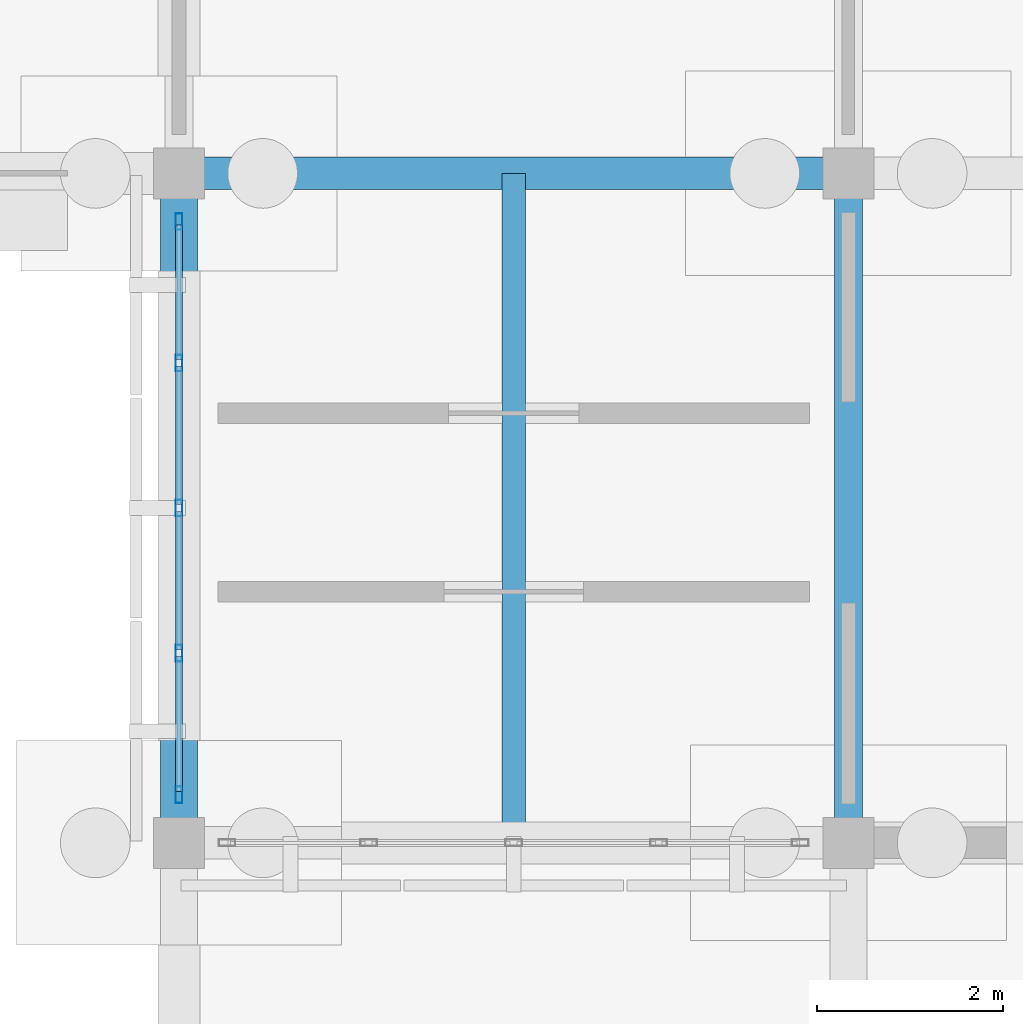
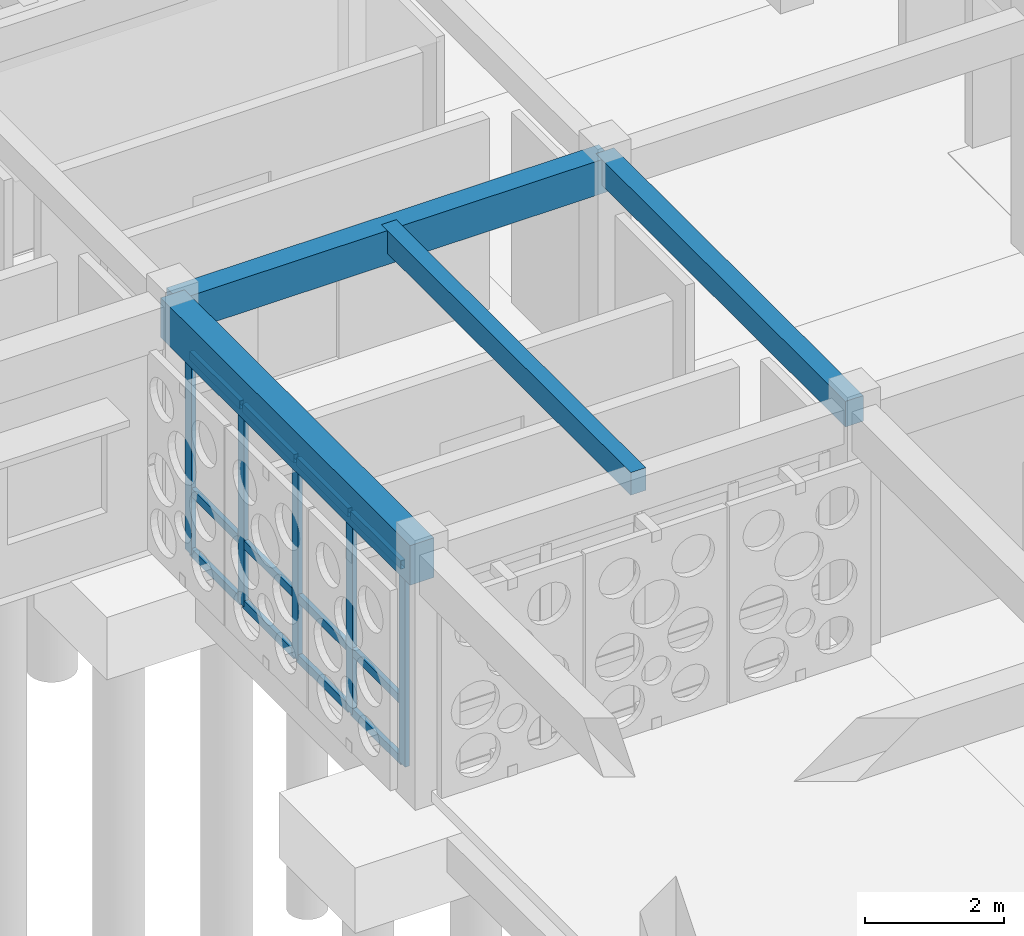
# One storey, part 20 of 111: 17 members, 4 beams, 1 element without a shape of its own.
"""IFC4 building model written with IfcOpenShell, lengths in metres."""

from ifc_helpers import new_model, si_unit, direction, frame, origin, origin_2d, place, context, subcontext, project, spatial, rectangle, hollow_rectangle, extrude, material, material_profile, profile_set, type_object, element, aggregate, save


model = new_model("IFC4")

# Units and contexts
model_context = context("Model", 3, precision=1e-05, world=origin(), true_north=direction((0.0, 1.0)))
body_context = subcontext(model_context, "Body", "Model", "MODEL_VIEW")
ifc_project = project(units=[si_unit("LENGTHUNIT", "METRE"), si_unit("AREAUNIT", "SQUARE_METRE"), si_unit("VOLUMEUNIT", "CUBIC_METRE"), si_unit("PLANEANGLEUNIT", "RADIAN"), si_unit("MASSUNIT", "GRAM", prefix="KILO")], contexts=[model_context])

# Site, building, storey
site_placement = place(None, origin())
site = spatial("IfcSite", under=ifc_project, at=site_placement, CompositionType="ELEMENT")
building_placement = place(site_placement, origin())
building = spatial("IfcBuilding", under=site, at=building_placement, Name="Aldebral Square Health Centre", CompositionType="ELEMENT")
storey_placement = place(building_placement, origin())
storey = spatial("IfcBuildingStorey", under=building, at=storey_placement, Name="L00", CompositionType="ELEMENT", Elevation=0.0)

# Beams
ifc_material_1 = material(Name="Concrete C40/50", Category="concrete")
ifc_material_profile_1 = material_profile(ifc_material_1, rectangle(XDim=0.35009765625, YDim=0.60009765625, at=origin_2d()), Name="RC 350x600")
ifc_profile_set_1 = profile_set([ifc_material_profile_1], Name="Concrete C40/50")
beam_type_1 = type_object("IfcBeamType", Name="BM-B2", PredefinedType="BEAM", material=ifc_profile_set_1)
beam_1_placement = place(storey_placement, frame((64.800048828125, 86.39990234375, 3.919921875), z_axis=(1.0, 0.0, 0.0), x_axis=(0.0, 1.0, 0.0)))
element("IfcBeam", 1, at=beam_1_placement, inside=storey, type_object=beam_type_1, Name="L00 X-beam 10-11/G13", PredefinedType="BEAM", context=body_context, shape_type="SweptSolid", body=[
    extrude(rectangle(XDim=0.35009765625, YDim=0.60009765625, at=origin_2d()), origin(), (0.0, 0.0, 1.0), 7.199951171875),
])
ifc_material_profile_2 = material_profile(ifc_material_1, rectangle(XDim=0.300048828125, YDim=0.449951171875, at=origin_2d()), Name="RC 300x450")
ifc_profile_set_2 = profile_set([ifc_material_profile_2], Name="Concrete C40/50")
beam_type_2 = type_object("IfcBeamType", Name="BM-B5", PredefinedType="BEAM", material=ifc_profile_set_2)
beam_2_placement = place(storey_placement, frame((72.0, 79.199951171875, 3.9951171875), z_axis=(0.0, 1.0, 0.0), x_axis=(-1.0, 0.0, 0.0)))
element("IfcBeam", 2, at=beam_2_placement, inside=storey, type_object=beam_type_2, Name="L00 Y-beam G11/12-13", PredefinedType="BEAM", context=body_context, shape_type="SweptSolid", body=[
    extrude(rectangle(XDim=0.300048828125, YDim=0.449951171875, at=origin_2d()), origin(), (0.0, 0.0, 1.0), 7.199951171875),
])
ifc_material_profile_3 = material_profile(ifc_material_1, rectangle(XDim=0.25, YDim=0.39990234375, at=origin_2d()), Name="RC 250x400")
ifc_profile_set_3 = profile_set([ifc_material_profile_3], Name="Concrete C40/50")
beam_type_3 = type_object("IfcBeamType", Name="BM-B6", PredefinedType="JOIST", material=ifc_profile_set_3)
beam_3_placement = place(storey_placement, frame((68.39990234375, 79.199951171875, 4.02001953125), z_axis=(0.0, 1.0, 0.0), x_axis=(-1.0, 0.0, 0.0)))
element("IfcBeam", 3, at=beam_3_placement, inside=storey, type_object=beam_type_3, Name="L00 secondary rib 10.12", PredefinedType="JOIST", context=body_context, shape_type="SweptSolid", body=[
    extrude(rectangle(XDim=0.25, YDim=0.39990234375, at=origin_2d()), origin(), (0.0, 0.0, 1.0), 7.199951171875),
])
ifc_material_profile_4 = material_profile(ifc_material_1, rectangle(XDim=0.39990234375, YDim=0.699951171875, at=origin_2d()), Name="RC 400x700")
ifc_profile_set_4 = profile_set([ifc_material_profile_4], Name="Concrete C40/50")
beam_type_4 = type_object("IfcBeamType", Name="BM-G3", PredefinedType="T_BEAM", material=ifc_profile_set_4)
beam_4_placement = place(storey_placement, frame((64.800048828125, 79.199951171875, 3.8701171875), z_axis=(0.0, 1.0, 0.0), x_axis=(-1.0, 0.0, 0.0)))
element("IfcBeam", 4, at=beam_4_placement, inside=storey, type_object=beam_type_4, Name="L00 Y-beam G10/12-13", PredefinedType="T_BEAM", context=body_context, shape_type="SweptSolid", body=[
    extrude(rectangle(XDim=0.39990234375, YDim=0.699951171875, at=origin_2d()), origin(), (0.0, 0.0, 1.0), 7.199951171875),
])

# Curtain wall, members
ifc_material_2 = material(Name="Aluminium and low-E solar glass", Category="aluminium")
curtain_wall_type = type_object("IfcCurtainWallType", Name="CW-HALL-SYS", PredefinedType="USERDEFINED", material=ifc_material_2)
curtain_wall_placement = place(storey_placement, origin())
curtain_wall = element("IfcCurtainWall", 5, at=curtain_wall_placement, inside=storey, type_object=curtain_wall_type, Name="L00 V1 hall curtain wall L00-V1-09-11-W", ObjectType="HALL_CURTAIN_WALL", PredefinedType="USERDEFINED")
ifc_material_3 = material(Name="Anodised aluminium mullion", Category="aluminium")
ifc_material_profile_5 = material_profile(ifc_material_3, hollow_rectangle(XDim=0.074951171875, YDim=0.179931640625, WallThickness=0.00390625, at=origin_2d()), Name="CWM 75x180x4")
ifc_profile_set_5 = profile_set([ifc_material_profile_5], Name="Anodised aluminium mullion")
member_type_1 = type_object("IfcMemberType", Name="CWM-STD", PredefinedType="MULLION", material=ifc_profile_set_5)
member_1_placement = place(storey_placement, frame((64.800048828125, 85.882568359375, 0.0), z_axis=(0.0, 0.0, 1.0), x_axis=(1.0, 0.0, 0.0)))
member_1 = element("IfcMember", 6, at=member_1_placement, type_object=member_type_1, Name="CW2 mullion 1", PredefinedType="MULLION", context=body_context, shape_type="SweptSolid", body=[
    extrude(hollow_rectangle(XDim=0.074951171875, YDim=0.179931640625, WallThickness=0.00390625, at=origin_2d()), origin(), (0.0, 0.0, 1.0), 3.52001953125),
])
member_2_placement = place(storey_placement, frame((64.800048828125, 84.360107421875, 0.0), z_axis=(0.0, 0.0, 1.0), x_axis=(1.0, 0.0, 0.0)))
member_2 = element("IfcMember", 7, at=member_2_placement, type_object=member_type_1, Name="CW2 mullion 2", PredefinedType="MULLION", context=body_context, shape_type="SweptSolid", body=[
    extrude(hollow_rectangle(XDim=0.074951171875, YDim=0.179931640625, WallThickness=0.00390625, at=origin_2d()), origin(), (0.0, 0.0, 1.0), 3.52001953125),
])
member_3_placement = place(storey_placement, frame((64.800048828125, 82.800048828125, 0.0), z_axis=(0.0, 0.0, 1.0), x_axis=(1.0, 0.0, 0.0)))
member_3 = element("IfcMember", 8, at=member_3_placement, type_object=member_type_1, Name="CW2 mullion 3", PredefinedType="MULLION", context=body_context, shape_type="SweptSolid", body=[
    extrude(hollow_rectangle(XDim=0.074951171875, YDim=0.179931640625, WallThickness=0.00390625, at=origin_2d()), origin(), (0.0, 0.0, 1.0), 3.52001953125),
])
member_4_placement = place(storey_placement, frame((64.800048828125, 81.239990234375, 0.0), z_axis=(0.0, 0.0, 1.0), x_axis=(1.0, 0.0, 0.0)))
member_4 = element("IfcMember", 9, at=member_4_placement, type_object=member_type_1, Name="CW2 mullion 4", PredefinedType="MULLION", context=body_context, shape_type="SweptSolid", body=[
    extrude(hollow_rectangle(XDim=0.074951171875, YDim=0.179931640625, WallThickness=0.00390625, at=origin_2d()), origin(), (0.0, 0.0, 1.0), 3.52001953125),
])
member_5_placement = place(storey_placement, frame((64.800048828125, 79.717529296875, 0.0), z_axis=(0.0, 0.0, 1.0), x_axis=(1.0, 0.0, 0.0)))
member_5 = element("IfcMember", 10, at=member_5_placement, type_object=member_type_1, Name="CW2 mullion 5", PredefinedType="MULLION", context=body_context, shape_type="SweptSolid", body=[
    extrude(hollow_rectangle(XDim=0.074951171875, YDim=0.179931640625, WallThickness=0.00390625, at=origin_2d()), origin(), (0.0, 0.0, 1.0), 3.52001953125),
])
ifc_material_4 = material(Name="Anodised aluminium transom", Category="aluminium")
ifc_material_profile_6 = material_profile(ifc_material_4, hollow_rectangle(XDim=0.074951171875, YDim=0.14990234375, WallThickness=0.00390625, at=origin_2d()), Name="CWT 75x150x4")
ifc_profile_set_6 = profile_set([ifc_material_profile_6], Name="Anodised aluminium transom")
member_type_2 = type_object("IfcMemberType", Name="CWT-STD", PredefinedType="USERDEFINED", material=ifc_profile_set_6)
member_6_placement = place(storey_placement, frame((64.800048828125, 85.844970703125, 0.03759765625), z_axis=(0.0, -1.0, 0.0), x_axis=(1.0, 0.0, 0.0)))
member_6 = element("IfcMember", 11, at=member_6_placement, type_object=member_type_2, Name="CW2 transom 1.1", ObjectType="TRANSOM", PredefinedType="USERDEFINED", context=body_context, shape_type="SweptSolid", body=[
    extrude(hollow_rectangle(XDim=0.074951171875, YDim=0.14990234375, WallThickness=0.00390625, at=origin_2d()), origin(), (0.0, 0.0, 1.0), 1.447509765625),
])
member_7_placement = place(storey_placement, frame((64.800048828125, 85.844970703125, 1.10009765625), z_axis=(0.0, -1.0, 0.0), x_axis=(1.0, 0.0, 0.0)))
member_7 = element("IfcMember", 12, at=member_7_placement, type_object=member_type_2, Name="CW2 transom 1.2", ObjectType="TRANSOM", PredefinedType="USERDEFINED", context=body_context, shape_type="SweptSolid", body=[
    extrude(hollow_rectangle(XDim=0.074951171875, YDim=0.14990234375, WallThickness=0.00390625, at=origin_2d()), origin(), (0.0, 0.0, 1.0), 1.447509765625),
])
member_8_placement = place(storey_placement, frame((64.800048828125, 85.844970703125, 3.482421875), z_axis=(0.0, -1.0, 0.0), x_axis=(1.0, 0.0, 0.0)))
member_8 = element("IfcMember", 13, at=member_8_placement, type_object=member_type_2, Name="CW2 transom 1.3", ObjectType="TRANSOM", PredefinedType="USERDEFINED", context=body_context, shape_type="SweptSolid", body=[
    extrude(hollow_rectangle(XDim=0.074951171875, YDim=0.14990234375, WallThickness=0.00390625, at=origin_2d()), origin(), (0.0, 0.0, 1.0), 1.447509765625),
])
member_9_placement = place(storey_placement, frame((64.800048828125, 84.322509765625, 0.03759765625), z_axis=(0.0, -1.0, 0.0), x_axis=(1.0, 0.0, 0.0)))
member_9 = element("IfcMember", 14, at=member_9_placement, type_object=member_type_2, Name="CW2 transom 2.1", ObjectType="TRANSOM", PredefinedType="USERDEFINED", context=body_context, shape_type="SweptSolid", body=[
    extrude(hollow_rectangle(XDim=0.074951171875, YDim=0.14990234375, WallThickness=0.00390625, at=origin_2d()), origin(), (0.0, 0.0, 1.0), 1.485107421875),
])
member_10_placement = place(storey_placement, frame((64.800048828125, 84.322509765625, 1.10009765625), z_axis=(0.0, -1.0, 0.0), x_axis=(1.0, 0.0, 0.0)))
member_10 = element("IfcMember", 15, at=member_10_placement, type_object=member_type_2, Name="CW2 transom 2.2", ObjectType="TRANSOM", PredefinedType="USERDEFINED", context=body_context, shape_type="SweptSolid", body=[
    extrude(hollow_rectangle(XDim=0.074951171875, YDim=0.14990234375, WallThickness=0.00390625, at=origin_2d()), origin(), (0.0, 0.0, 1.0), 1.485107421875),
])
member_11_placement = place(storey_placement, frame((64.800048828125, 84.322509765625, 3.482421875), z_axis=(0.0, -1.0, 0.0), x_axis=(1.0, 0.0, 0.0)))
member_11 = element("IfcMember", 16, at=member_11_placement, type_object=member_type_2, Name="CW2 transom 2.3", ObjectType="TRANSOM", PredefinedType="USERDEFINED", context=body_context, shape_type="SweptSolid", body=[
    extrude(hollow_rectangle(XDim=0.074951171875, YDim=0.14990234375, WallThickness=0.00390625, at=origin_2d()), origin(), (0.0, 0.0, 1.0), 1.485107421875),
])
member_12_placement = place(storey_placement, frame((64.800048828125, 82.762451171875, 0.03759765625), z_axis=(0.0, -1.0, 0.0), x_axis=(1.0, 0.0, 0.0)))
member_12 = element("IfcMember", 17, at=member_12_placement, type_object=member_type_2, Name="CW2 transom 3.1", ObjectType="TRANSOM", PredefinedType="USERDEFINED", context=body_context, shape_type="SweptSolid", body=[
    extrude(hollow_rectangle(XDim=0.074951171875, YDim=0.14990234375, WallThickness=0.00390625, at=origin_2d()), origin(), (0.0, 0.0, 1.0), 1.48486328125),
])
member_13_placement = place(storey_placement, frame((64.800048828125, 82.762451171875, 1.10009765625), z_axis=(0.0, -1.0, 0.0), x_axis=(1.0, 0.0, 0.0)))
member_13 = element("IfcMember", 18, at=member_13_placement, type_object=member_type_2, Name="CW2 transom 3.2", ObjectType="TRANSOM", PredefinedType="USERDEFINED", context=body_context, shape_type="SweptSolid", body=[
    extrude(hollow_rectangle(XDim=0.074951171875, YDim=0.14990234375, WallThickness=0.00390625, at=origin_2d()), origin(), (0.0, 0.0, 1.0), 1.48486328125),
])
member_14_placement = place(storey_placement, frame((64.800048828125, 82.762451171875, 3.482421875), z_axis=(0.0, -1.0, 0.0), x_axis=(1.0, 0.0, 0.0)))
member_14 = element("IfcMember", 19, at=member_14_placement, type_object=member_type_2, Name="CW2 transom 3.3", ObjectType="TRANSOM", PredefinedType="USERDEFINED", context=body_context, shape_type="SweptSolid", body=[
    extrude(hollow_rectangle(XDim=0.074951171875, YDim=0.14990234375, WallThickness=0.00390625, at=origin_2d()), origin(), (0.0, 0.0, 1.0), 1.48486328125),
])
member_15_placement = place(storey_placement, frame((64.800048828125, 81.202392578125, 0.03759765625), z_axis=(0.0, -1.0, 0.0), x_axis=(1.0, 0.0, 0.0)))
member_15 = element("IfcMember", 20, at=member_15_placement, type_object=member_type_2, Name="CW2 transom 4.1", ObjectType="TRANSOM", PredefinedType="USERDEFINED", context=body_context, shape_type="SweptSolid", body=[
    extrude(hollow_rectangle(XDim=0.074951171875, YDim=0.14990234375, WallThickness=0.00390625, at=origin_2d()), origin(), (0.0, 0.0, 1.0), 1.447509765625),
])
member_16_placement = place(storey_placement, frame((64.800048828125, 81.202392578125, 1.10009765625), z_axis=(0.0, -1.0, 0.0), x_axis=(1.0, 0.0, 0.0)))
member_16 = element("IfcMember", 21, at=member_16_placement, type_object=member_type_2, Name="CW2 transom 4.2", ObjectType="TRANSOM", PredefinedType="USERDEFINED", context=body_context, shape_type="SweptSolid", body=[
    extrude(hollow_rectangle(XDim=0.074951171875, YDim=0.14990234375, WallThickness=0.00390625, at=origin_2d()), origin(), (0.0, 0.0, 1.0), 1.447509765625),
])
member_17_placement = place(storey_placement, frame((64.800048828125, 81.202392578125, 3.482421875), z_axis=(0.0, -1.0, 0.0), x_axis=(1.0, 0.0, 0.0)))
member_17 = element("IfcMember", 22, at=member_17_placement, type_object=member_type_2, Name="CW2 transom 4.3", ObjectType="TRANSOM", PredefinedType="USERDEFINED", context=body_context, shape_type="SweptSolid", body=[
    extrude(hollow_rectangle(XDim=0.074951171875, YDim=0.14990234375, WallThickness=0.00390625, at=origin_2d()), origin(), (0.0, 0.0, 1.0), 1.447509765625),
])
aggregate(curtain_wall, [member_1, member_2, member_3, member_4, member_5, member_6, member_7, member_8, member_9, member_10, member_11, member_12, member_13, member_14, member_15, member_16, member_17])

save(model, "model.ifc")
